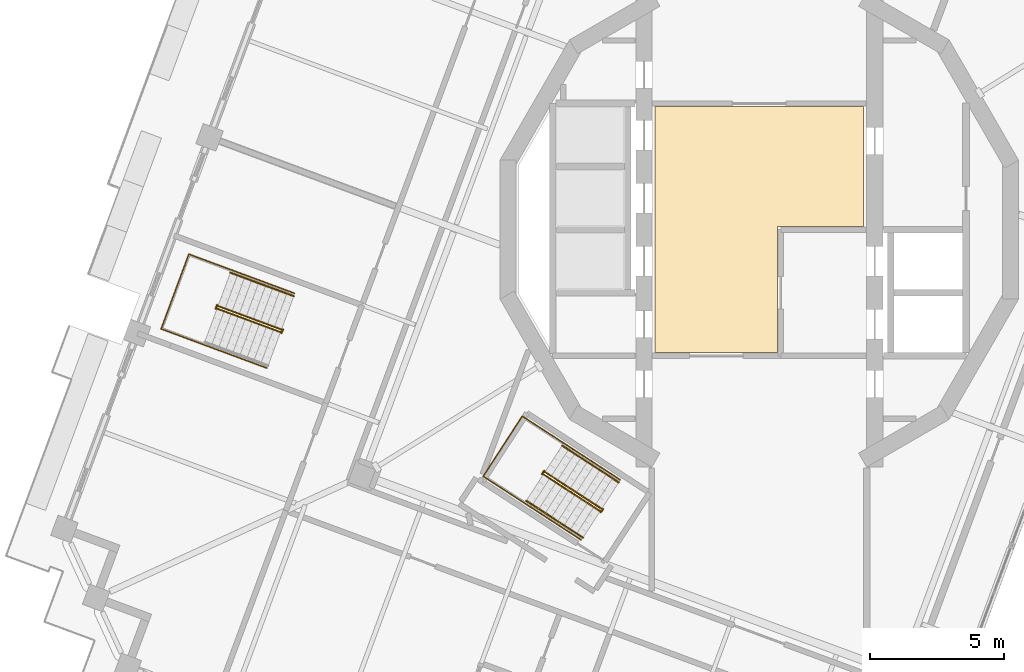
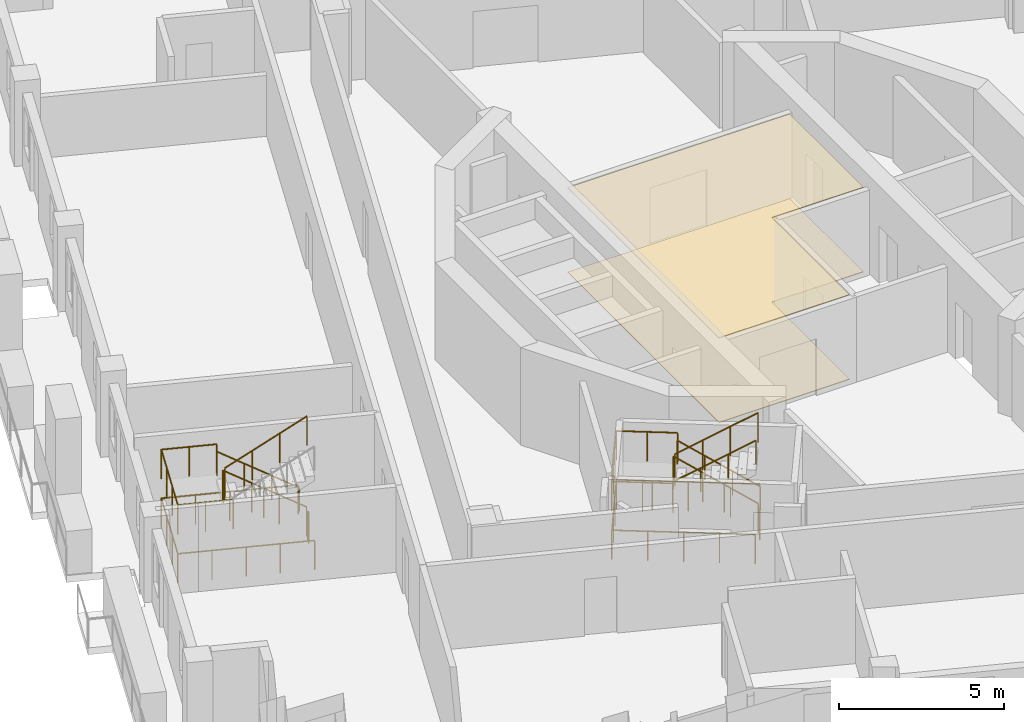
# One storey, part 13 of 19: 13 railings, 2 coverings.
"""IFC4 building model written with IfcOpenShell, lengths in metres."""

from ifc_helpers import new_model, si_unit, direction, frame, origin, origin_2d, place, context, subcontext, project, spatial, polyline, circle, outline, extrude, material, layer, layer_set, type_object, element, save


model = new_model("IFC4")

# Units and contexts
model_context = context("Model", 3, precision=1e-05, world=origin(), true_north=direction((0.0, 1.0)))
body_context = subcontext(model_context, "Body", "Model", "MODEL_VIEW")
ifc_project = project(units=[si_unit("LENGTHUNIT", "METRE"), si_unit("AREAUNIT", "SQUARE_METRE"), si_unit("VOLUMEUNIT", "CUBIC_METRE"), si_unit("PLANEANGLEUNIT", "RADIAN"), si_unit("MASSUNIT", "GRAM", prefix="KILO")], contexts=[model_context])

# Site, building, storey
site_placement = place(None, origin())
site = spatial("IfcSite", under=ifc_project, at=site_placement, CompositionType="ELEMENT")
building_placement = place(site_placement, origin())
building = spatial("IfcBuilding", under=site, at=building_placement, Name="Cantera Rosa Tower", CompositionType="ELEMENT")
storey_placement = place(building_placement, frame((0.0, 0.0, 342.10009765625)))
storey = spatial("IfcBuildingStorey", under=building, at=storey_placement, Name="L77", CompositionType="ELEMENT", Elevation=342.10009765625)

# Railings
ifc_material_1 = material(Name="Steel S355J2 (EN 10025-2)", Category="steel")
railing_type_1 = type_object("IfcRailingType", Name="STAIR GUARD 1100", PredefinedType="GUARDRAIL", material=ifc_material_1)
railing_1_placement = place(storey_placement, frame((-17.802490234375, -3.721923828125, 0.179931640625)))
element("IfcRailing", 1, at=railing_1_placement, inside=storey, type_object=railing_type_1, Name="L77 ST-63 stair guard 1", PredefinedType="GUARDRAIL", context=body_context, shape_type="SweptSolid", body=[
    extrude(circle(Radius=0.02392578125, at=origin_2d()), frame((0.0, 0.0, 1.076171875), z_axis=(-0.78878233546, 0.292319685639, 0.540713998944), x_axis=(-0.347500508527, -0.937679794265, 0.0)), (0.0, 0.0, 1.0), 2.995849609375),
    extrude(circle(Radius=0.02392578125, at=origin_2d()), frame((-2.363037109375, 0.875732421875, 2.69580078125), z_axis=(-0.671593765389, 0.740919573429, 0.0), x_axis=(-0.740919573429, -0.671593765389, 0.0)), (0.0, 0.0, 1.0), 0.056396484375),
    extrude(circle(Radius=0.02392578125, at=origin_2d()), frame((-2.40087890625, 0.91748046875, 2.69580078125), z_axis=(-0.348268249601, -0.937394914814, 0.0), x_axis=(0.937394914814, -0.348268249601, 0.0)), (0.0, 0.0, 1.0), 0.14990234375),
    extrude(circle(Radius=0.02099609375, at=origin_2d()), origin(), (0.0, 0.0, 1.0), 1.052001953125),
    extrude(circle(Radius=0.02099609375, at=origin_2d()), frame((-0.78759765625, 0.2919921875, 0.5400390625)), (0.0, 0.0, 1.0), 1.052001953125),
    extrude(circle(Radius=0.02099609375, at=origin_2d()), frame((-1.575439453125, 0.583740234375, 1.079833984375)), (0.0, 0.0, 1.0), 1.052001953125),
    extrude(circle(Radius=0.02099609375, at=origin_2d()), frame((-2.363037109375, 0.875732421875, 1.619873046875)), (0.0, 0.0, 1.0), 1.052001953125),
    extrude(circle(Radius=0.02099609375, at=origin_2d()), frame((-2.40087890625, 0.91748046875, 1.619873046875)), (0.0, 0.0, 1.0), 1.052001953125),
    extrude(circle(Radius=0.02099609375, at=origin_2d()), frame((-2.453125, 0.77685546875, 1.619873046875)), (0.0, 0.0, 1.0), 1.052001953125),
])
railing_2_placement = place(storey_placement, frame((-20.19970703125, -2.93798828125, 1.97998046875)))
element("IfcRailing", 2, at=railing_2_placement, inside=storey, type_object=railing_type_1, Name="L77 ST-63 stair guard 2", PredefinedType="GUARDRAIL", context=body_context, shape_type="SweptSolid", body=[
    extrude(circle(Radius=0.02392578125, at=origin_2d()), frame((0.0, 0.0, 1.076171875), z_axis=(0.78878233546, -0.292319685639, 0.540713998944), x_axis=(0.347500508527, 0.937679794265, 0.0)), (0.0, 0.0, 1.0), 2.995849609375),
    extrude(circle(Radius=0.02099609375, at=origin_2d()), origin(), (0.0, 0.0, 1.0), 1.052001953125),
    extrude(circle(Radius=0.02099609375, at=origin_2d()), frame((0.78759765625, -0.2919921875, 0.5400390625)), (0.0, 0.0, 1.0), 1.052001953125),
    extrude(circle(Radius=0.02099609375, at=origin_2d()), frame((1.575439453125, -0.583740234375, 1.079833984375)), (0.0, 0.0, 1.0), 1.052001953125),
    extrude(circle(Radius=0.02099609375, at=origin_2d()), frame((2.363037109375, -0.875732421875, 1.619873046875)), (0.0, 0.0, 1.0), 1.052001953125),
])
railing_3_placement = place(storey_placement, frame((-17.74658203125, -3.71484375, 0.0)))
element("IfcRailing", 3, at=railing_3_placement, inside=storey, type_object=railing_type_1, Name="L77 ST-63 stair guard 3", PredefinedType="GUARDRAIL", context=body_context, shape_type="SweptSolid", body=[
    extrude(circle(Radius=0.02392578125, at=origin_2d()), frame((0.0, 0.0, 1.076171875), z_axis=(-0.348268249601, -0.937394914814, 0.0), x_axis=(0.937394914814, -0.348268249601, 0.0)), (0.0, 0.0, 1.0), 0.14990234375),
    extrude(circle(Radius=0.02099609375, at=origin_2d()), origin(), (0.0, 0.0, 1.0), 1.052001953125),
    extrude(circle(Radius=0.02099609375, at=origin_2d()), frame((-0.05224609375, -0.140625, 0.0)), (0.0, 0.0, 1.0), 1.052001953125),
])
railing_4_placement = place(storey_placement, frame((-17.31494140625, -2.37109375, 0.0)))
element("IfcRailing", 4, at=railing_4_placement, inside=storey, type_object=railing_type_1, Name="L77 ST-63 stair guard 4", PredefinedType="GUARDRAIL", context=body_context, shape_type="SweptSolid", body=[
    extrude(circle(Radius=0.02392578125, at=origin_2d()), frame((0.0, 0.0, 1.076171875), z_axis=(-0.937682096729, 0.3474942956, 0.0), x_axis=(-0.3474942956, -0.937682096729, 0.0)), (0.0, 0.0, 1.0), 4.197998046875),
    extrude(circle(Radius=0.02392578125, at=origin_2d()), frame((-3.936279296875, 1.458740234375, 1.076171875), z_axis=(-0.347472311651, -0.937690243436, 0.0), x_axis=(0.937690243436, -0.347472311651, 0.0)), (0.0, 0.0, 1.0), 2.969970703125),
    extrude(circle(Radius=0.02392578125, at=origin_2d()), frame((-4.96826171875, -1.326171875, 1.076171875), z_axis=(0.937682096729, -0.3474942956, 0.0), x_axis=(0.3474942956, 0.937682096729, 0.0)), (0.0, 0.0, 1.0), 4.197998046875),
    extrude(circle(Radius=0.02099609375, at=origin_2d()), origin(), (0.0, 0.0, 1.0), 1.052001953125),
    extrude(circle(Radius=0.02099609375, at=origin_2d()), frame((-0.984130859375, 0.36474609375, 0.0)), (0.0, 0.0, 1.0), 1.052001953125),
    extrude(circle(Radius=0.02099609375, at=origin_2d()), frame((-1.96826171875, 0.7294921875, 0.0)), (0.0, 0.0, 1.0), 1.052001953125),
    extrude(circle(Radius=0.02099609375, at=origin_2d()), frame((-2.9521484375, 1.093994140625, 0.0)), (0.0, 0.0, 1.0), 1.052001953125),
    extrude(circle(Radius=0.02099609375, at=origin_2d()), frame((-3.936279296875, 1.458740234375, 0.0)), (0.0, 0.0, 1.0), 1.052001953125),
    extrude(circle(Radius=0.02099609375, at=origin_2d()), frame((-4.2802734375, 0.530517578125, 0.0)), (0.0, 0.0, 1.0), 1.052001953125),
    extrude(circle(Radius=0.02099609375, at=origin_2d()), frame((-4.624267578125, -0.39794921875, 0.0)), (0.0, 0.0, 1.0), 1.052001953125),
    extrude(circle(Radius=0.02099609375, at=origin_2d()), frame((-4.96826171875, -1.326171875, 0.0)), (0.0, 0.0, 1.0), 1.052001953125),
    extrude(circle(Radius=0.02099609375, at=origin_2d()), frame((-3.984130859375, -1.69091796875, 0.0)), (0.0, 0.0, 1.0), 1.052001953125),
    extrude(circle(Radius=0.02099609375, at=origin_2d()), frame((-3.0, -2.0556640625, 0.0)), (0.0, 0.0, 1.0), 1.052001953125),
    extrude(circle(Radius=0.02099609375, at=origin_2d()), frame((-2.01611328125, -2.420166015625, 0.0)), (0.0, 0.0, 1.0), 1.052001953125),
    extrude(circle(Radius=0.02099609375, at=origin_2d()), frame((-1.031982421875, -2.784912109375, 0.0)), (0.0, 0.0, 1.0), 1.052001953125),
])
railing_5_placement = place(storey_placement, frame((-19.6552734375, -1.50390625, 1.7998046875)))
element("IfcRailing", 5, at=railing_5_placement, inside=storey, type_object=railing_type_1, Name="L77 ST-63 stair guard 5", PredefinedType="GUARDRAIL", context=body_context, shape_type="SweptSolid", body=[
    extrude(circle(Radius=0.02392578125, at=origin_2d()), frame((0.0, 0.0, 1.076171875), z_axis=(-0.937660486946, 0.347552602091, 0.0), x_axis=(-0.347552602091, -0.937660486946, 0.0)), (0.0, 0.0, 1.0), 1.7021484375),
    extrude(circle(Radius=0.02392578125, at=origin_2d()), frame((-1.595947265625, 0.591552734375, 1.076171875), z_axis=(-0.347472311651, -0.937690243436, 0.0), x_axis=(0.937690243436, -0.347472311651, 0.0)), (0.0, 0.0, 1.0), 2.969970703125),
    extrude(circle(Radius=0.02392578125, at=origin_2d()), frame((-2.6279296875, -2.193359375, 1.076171875), z_axis=(0.937660486946, -0.347552602091, 0.0), x_axis=(0.347552602091, 0.937660486946, 0.0)), (0.0, 0.0, 1.0), 1.7021484375),
    extrude(circle(Radius=0.02099609375, at=origin_2d()), origin(), (0.0, 0.0, 1.0), 1.052001953125),
    extrude(circle(Radius=0.02099609375, at=origin_2d()), frame((-0.7978515625, 0.2958984375, 0.0)), (0.0, 0.0, 1.0), 1.052001953125),
    extrude(circle(Radius=0.02099609375, at=origin_2d()), frame((-1.595947265625, 0.591552734375, 0.0)), (0.0, 0.0, 1.0), 1.052001953125),
    extrude(circle(Radius=0.02099609375, at=origin_2d()), frame((-1.93994140625, -0.336669921875, 0.0)), (0.0, 0.0, 1.0), 1.052001953125),
    extrude(circle(Radius=0.02099609375, at=origin_2d()), frame((-2.283935546875, -1.26513671875, 0.0)), (0.0, 0.0, 1.0), 1.052001953125),
    extrude(circle(Radius=0.02099609375, at=origin_2d()), frame((-2.6279296875, -2.193359375, 0.0)), (0.0, 0.0, 1.0), 1.052001953125),
    extrude(circle(Radius=0.02099609375, at=origin_2d()), frame((-1.830078125, -2.4892578125, 0.0)), (0.0, 0.0, 1.0), 1.052001953125),
    extrude(circle(Radius=0.02099609375, at=origin_2d()), frame((-1.031982421875, -2.784912109375, 0.0)), (0.0, 0.0, 1.0), 1.052001953125),
])
railing_6_placement = place(storey_placement, frame((-5.873291015625, -10.403076171875, 0.179931640625)))
element("IfcRailing", 6, at=railing_6_placement, inside=storey, type_object=railing_type_1, Name="L77 ST-64 stair guard 1", PredefinedType="GUARDRAIL", context=body_context, shape_type="SweptSolid", body=[
    extrude(circle(Radius=0.02392578125, at=origin_2d()), frame((0.0, 0.0, 1.076171875), z_axis=(-0.705493103535, 0.458158972863, 0.540712341684), x_axis=(-0.544644381691, -0.838667095749, 0.0)), (0.0, 0.0, 1.0), 2.995849609375),
    extrude(circle(Radius=0.02392578125, at=origin_2d()), frame((-2.113525390625, 1.37255859375, 2.69580078125), z_axis=(-0.49520304401, 0.868777270193, 0.0), x_axis=(-0.868777270193, -0.49520304401, 0.0)), (0.0, 0.0, 1.0), 0.05615234375),
    extrude(circle(Radius=0.02392578125, at=origin_2d()), frame((-2.141357421875, 1.42138671875, 2.69580078125), z_axis=(-0.544129121324, -0.839001489467, 0.0), x_axis=(0.839001489467, -0.544129121324, 0.0)), (0.0, 0.0, 1.0), 0.14990234375),
    extrude(circle(Radius=0.02099609375, at=origin_2d()), origin(), (0.0, 0.0, 1.0), 1.052001953125),
    extrude(circle(Radius=0.02099609375, at=origin_2d()), frame((-0.70458984375, 0.45751953125, 0.5400390625)), (0.0, 0.0, 1.0), 1.052001953125),
    extrude(circle(Radius=0.02099609375, at=origin_2d()), frame((-1.408935546875, 0.9150390625, 1.079833984375)), (0.0, 0.0, 1.0), 1.052001953125),
    extrude(circle(Radius=0.02099609375, at=origin_2d()), frame((-2.113525390625, 1.37255859375, 1.619873046875)), (0.0, 0.0, 1.0), 1.052001953125),
    extrude(circle(Radius=0.02099609375, at=origin_2d()), frame((-2.141357421875, 1.42138671875, 1.619873046875)), (0.0, 0.0, 1.0), 1.052001953125),
    extrude(circle(Radius=0.02099609375, at=origin_2d()), frame((-2.222900390625, 1.295654296875, 1.619873046875)), (0.0, 0.0, 1.0), 1.052001953125),
])
railing_7_placement = place(storey_placement, frame((-8.040283203125, -9.11279296875, 1.97998046875)))
element("IfcRailing", 7, at=railing_7_placement, inside=storey, type_object=railing_type_1, Name="L77 ST-64 stair guard 2", PredefinedType="GUARDRAIL", context=body_context, shape_type="SweptSolid", body=[
    extrude(circle(Radius=0.02392578125, at=origin_2d()), frame((0.0, 0.0, 1.076171875), z_axis=(0.705493103535, -0.458158972863, 0.540712341684), x_axis=(0.544644381691, 0.838667095749, 0.0)), (0.0, 0.0, 1.0), 2.995849609375),
    extrude(circle(Radius=0.02099609375, at=origin_2d()), origin(), (0.0, 0.0, 1.0), 1.052001953125),
    extrude(circle(Radius=0.02099609375, at=origin_2d()), frame((0.70458984375, -0.45751953125, 0.5400390625)), (0.0, 0.0, 1.0), 1.052001953125),
    extrude(circle(Radius=0.02099609375, at=origin_2d()), frame((1.408935546875, -0.9150390625, 1.079833984375)), (0.0, 0.0, 1.0), 1.052001953125),
    extrude(circle(Radius=0.02099609375, at=origin_2d()), frame((2.113525390625, -1.37255859375, 1.619873046875)), (0.0, 0.0, 1.0), 1.052001953125),
])
railing_8_placement = place(storey_placement, frame((-5.8173828125, -10.408447265625, 0.0)))
element("IfcRailing", 8, at=railing_8_placement, inside=storey, type_object=railing_type_1, Name="L77 ST-64 stair guard 3", PredefinedType="GUARDRAIL", context=body_context, shape_type="SweptSolid", body=[
    extrude(circle(Radius=0.02392578125, at=origin_2d()), frame((0.0, 0.0, 1.076171875), z_axis=(-0.543386185195, -0.839482848984, 0.0), x_axis=(0.839482848984, -0.543386185195, 0.0)), (0.0, 0.0, 1.0), 0.150146484375),
    extrude(circle(Radius=0.02099609375, at=origin_2d()), origin(), (0.0, 0.0, 1.0), 1.052001953125),
    extrude(circle(Radius=0.02099609375, at=origin_2d()), frame((-0.08154296875, -0.1259765625, 0.0)), (0.0, 0.0, 1.0), 1.052001953125),
])
railing_9_placement = place(storey_placement, frame((-5.18310546875, -9.318115234375, 0.0)))
element("IfcRailing", 9, at=railing_9_placement, inside=storey, type_object=railing_type_1, Name="L77 ST-64 stair guard 4", PredefinedType="GUARDRAIL", context=body_context, shape_type="SweptSolid", body=[
    extrude(circle(Radius=0.02392578125, at=origin_2d()), frame((0.0, 0.0, 1.076171875), z_axis=(-0.838659072691, 0.544656735746, 0.0), x_axis=(-0.544656735746, -0.838659072691, 0.0)), (0.0, 0.0, 1.0), 4.347900390625),
    extrude(circle(Radius=0.02392578125, at=origin_2d()), frame((-3.646484375, 2.3681640625, 1.076171875), z_axis=(-0.544615466587, -0.838685872991, 0.0), x_axis=(0.838685872991, -0.544615466587, 0.0)), (0.0, 0.0, 1.0), 2.669921875),
    extrude(circle(Radius=0.02392578125, at=origin_2d()), frame((-5.1005859375, 0.12890625, 1.076171875), z_axis=(0.838659072691, -0.544656735746, 0.0), x_axis=(0.544656735746, 0.838659072691, 0.0)), (0.0, 0.0, 1.0), 4.347900390625),
    extrude(circle(Radius=0.02099609375, at=origin_2d()), origin(), (0.0, 0.0, 1.0), 1.052001953125),
    extrude(circle(Radius=0.02099609375, at=origin_2d()), frame((-0.91162109375, 0.592041015625, 0.0)), (0.0, 0.0, 1.0), 1.052001953125),
    extrude(circle(Radius=0.02099609375, at=origin_2d()), frame((-1.8232421875, 1.18408203125, 0.0)), (0.0, 0.0, 1.0), 1.052001953125),
    extrude(circle(Radius=0.02099609375, at=origin_2d()), frame((-2.73486328125, 1.776123046875, 0.0)), (0.0, 0.0, 1.0), 1.052001953125),
    extrude(circle(Radius=0.02099609375, at=origin_2d()), frame((-3.646484375, 2.3681640625, 0.0)), (0.0, 0.0, 1.0), 1.052001953125),
    extrude(circle(Radius=0.02099609375, at=origin_2d()), frame((-4.131103515625, 1.621826171875, 0.0)), (0.0, 0.0, 1.0), 1.052001953125),
    extrude(circle(Radius=0.02099609375, at=origin_2d()), frame((-4.615966796875, 0.875244140625, 0.0)), (0.0, 0.0, 1.0), 1.052001953125),
    extrude(circle(Radius=0.02099609375, at=origin_2d()), frame((-5.1005859375, 0.12890625, 0.0)), (0.0, 0.0, 1.0), 1.052001953125),
    extrude(circle(Radius=0.02099609375, at=origin_2d()), frame((-4.18896484375, -0.463134765625, 0.0)), (0.0, 0.0, 1.0), 1.052001953125),
    extrude(circle(Radius=0.02099609375, at=origin_2d()), frame((-3.27734375, -1.05517578125, 0.0)), (0.0, 0.0, 1.0), 1.052001953125),
    extrude(circle(Radius=0.02099609375, at=origin_2d()), frame((-2.36572265625, -1.647216796875, 0.0)), (0.0, 0.0, 1.0), 1.052001953125),
    extrude(circle(Radius=0.02099609375, at=origin_2d()), frame((-1.4541015625, -2.2392578125, 0.0)), (0.0, 0.0, 1.0), 1.052001953125),
])
railing_10_placement = place(storey_placement, frame((-7.2763671875, -7.95849609375, 1.7998046875)))
element("IfcRailing", 10, at=railing_10_placement, inside=storey, type_object=railing_type_1, Name="L77 ST-64 stair guard 5", PredefinedType="GUARDRAIL", context=body_context, shape_type="SweptSolid", body=[
    extrude(circle(Radius=0.02392578125, at=origin_2d()), frame((0.0, 0.0, 1.076171875), z_axis=(-0.838702547883, 0.544589787064, 0.0), x_axis=(-0.544589787064, -0.838702547883, 0.0)), (0.0, 0.0, 1.0), 1.85205078125),
    extrude(circle(Radius=0.02392578125, at=origin_2d()), frame((-1.55322265625, 1.008544921875, 1.076171875), z_axis=(-0.544615466587, -0.838685872991, 0.0), x_axis=(0.838685872991, -0.544615466587, 0.0)), (0.0, 0.0, 1.0), 2.669921875),
    extrude(circle(Radius=0.02392578125, at=origin_2d()), frame((-3.00732421875, -1.230712890625, 1.076171875), z_axis=(0.838702547883, -0.544589787064, 0.0), x_axis=(0.544589787064, 0.838702547883, 0.0)), (0.0, 0.0, 1.0), 1.85205078125),
    extrude(circle(Radius=0.02099609375, at=origin_2d()), origin(), (0.0, 0.0, 1.0), 1.052001953125),
    extrude(circle(Radius=0.02099609375, at=origin_2d()), frame((-0.776611328125, 0.50439453125, 0.0)), (0.0, 0.0, 1.0), 1.052001953125),
    extrude(circle(Radius=0.02099609375, at=origin_2d()), frame((-1.55322265625, 1.008544921875, 0.0)), (0.0, 0.0, 1.0), 1.052001953125),
    extrude(circle(Radius=0.02099609375, at=origin_2d()), frame((-2.037841796875, 0.26220703125, 0.0)), (0.0, 0.0, 1.0), 1.052001953125),
    extrude(circle(Radius=0.02099609375, at=origin_2d()), frame((-2.522705078125, -0.484375, 0.0)), (0.0, 0.0, 1.0), 1.052001953125),
    extrude(circle(Radius=0.02099609375, at=origin_2d()), frame((-3.00732421875, -1.230712890625, 0.0)), (0.0, 0.0, 1.0), 1.052001953125),
    extrude(circle(Radius=0.02099609375, at=origin_2d()), frame((-2.230712890625, -1.73486328125, 0.0)), (0.0, 0.0, 1.0), 1.052001953125),
    extrude(circle(Radius=0.02099609375, at=origin_2d()), frame((-1.4541015625, -2.2392578125, 0.0)), (0.0, 0.0, 1.0), 1.052001953125),
])
ifc_material_2 = material(Name="Steel S355J2 (EN 10025-2)", Category="steel")
railing_type_2 = type_object("IfcRailingType", Name="STAIR HANDRAIL 900", PredefinedType="HANDRAIL", material=ifc_material_2)
railing_11_placement = place(storey_placement, frame((-17.341796875, -2.478515625, 0.179931640625)))
element("IfcRailing", 11, at=railing_11_placement, inside=storey, type_object=railing_type_2, Name="L77 ST-63 stair handrail 1", PredefinedType="HANDRAIL", context=body_context, shape_type="SweptSolid", body=[
    extrude(circle(Radius=0.02392578125, at=origin_2d()), frame((0.0, 0.0, 0.8759765625), z_axis=(-0.78878233546, 0.292319685639, 0.540713998944), x_axis=(-0.347500508527, -0.937679794265, 0.0)), (0.0, 0.0, 1.0), 2.995849609375),
    extrude(circle(Radius=0.02099609375, at=origin_2d()), origin(), (0.0, 0.0, 1.0), 0.851806640625),
    extrude(circle(Radius=0.02099609375, at=origin_2d()), frame((-0.78759765625, 0.2919921875, 0.5400390625)), (0.0, 0.0, 1.0), 0.851806640625),
    extrude(circle(Radius=0.02099609375, at=origin_2d()), frame((-1.575439453125, 0.583740234375, 1.079833984375)), (0.0, 0.0, 1.0), 0.851806640625),
    extrude(circle(Radius=0.02099609375, at=origin_2d()), frame((-2.363037109375, 0.875732421875, 1.619873046875)), (0.0, 0.0, 1.0), 0.851806640625),
])
railing_12_placement = place(storey_placement, frame((-5.23291015625, -9.416748046875, 0.179931640625)))
element("IfcRailing", 12, at=railing_12_placement, inside=storey, type_object=railing_type_2, Name="L77 ST-64 stair handrail 1", PredefinedType="HANDRAIL", context=body_context, shape_type="SweptSolid", body=[
    extrude(circle(Radius=0.02392578125, at=origin_2d()), frame((0.0, 0.0, 0.8759765625), z_axis=(-0.705519443793, 0.458094581675, 0.540732529695), x_axis=(-0.544576236413, -0.838711346492, 0.0)), (0.0, 0.0, 1.0), 2.99560546875),
    extrude(circle(Radius=0.02099609375, at=origin_2d()), origin(), (0.0, 0.0, 1.0), 0.851806640625),
    extrude(circle(Radius=0.02099609375, at=origin_2d()), frame((-0.70458984375, 0.45751953125, 0.5400390625)), (0.0, 0.0, 1.0), 0.851806640625),
    extrude(circle(Radius=0.02099609375, at=origin_2d()), frame((-1.408935546875, 0.914794921875, 1.079833984375)), (0.0, 0.0, 1.0), 0.851806640625),
    extrude(circle(Radius=0.02099609375, at=origin_2d()), frame((-2.113525390625, 1.372314453125, 1.619873046875)), (0.0, 0.0, 1.0), 0.851806640625),
])
railing_13_placement = place(storey_placement, frame((-8.6806640625, -10.09912109375, 1.97998046875)))
element("IfcRailing", 13, at=railing_13_placement, inside=storey, type_object=railing_type_2, Name="L77 ST-64 stair handrail 2", PredefinedType="HANDRAIL", context=body_context, shape_type="SweptSolid", body=[
    extrude(circle(Radius=0.02392578125, at=origin_2d()), frame((0.0, 0.0, 0.8759765625), z_axis=(0.705493103535, -0.458158972863, 0.540712341684), x_axis=(0.544644381691, 0.838667095749, 0.0)), (0.0, 0.0, 1.0), 2.995849609375),
    extrude(circle(Radius=0.02099609375, at=origin_2d()), origin(), (0.0, 0.0, 1.0), 0.851806640625),
    extrude(circle(Radius=0.02099609375, at=origin_2d()), frame((0.70458984375, -0.45751953125, 0.5400390625)), (0.0, 0.0, 1.0), 0.851806640625),
    extrude(circle(Radius=0.02099609375, at=origin_2d()), frame((1.408935546875, -0.9150390625, 1.079833984375)), (0.0, 0.0, 1.0), 0.851806640625),
    extrude(circle(Radius=0.02099609375, at=origin_2d()), frame((2.113525390625, -1.37255859375, 1.619873046875)), (0.0, 0.0, 1.0), 0.851806640625),
])

# Coverings
ifc_material_3 = material(Name="Limestone paving", Category="masonry")
ifc_layer_1 = layer(ifc_material_3, 0.02490234375)
ifc_layer_set_1 = layer_set([ifc_layer_1], Name="STONE FLOOR FINISH 25")
covering_type_1 = type_object("IfcCoveringType", Name="STONE FLOOR FINISH 25", PredefinedType="FLOORING", material=ifc_layer_set_1)
covering_1_placement = place(storey_placement, origin())
element("IfcCovering", 14, at=covering_1_placement, inside=storey, type_object=covering_type_1, Name="STONE FLOOR FINISH L77", PredefinedType="FLOORING", context=body_context, shape_type="SweptSolid", body=[
    extrude(outline(polyline([(3.8798828125, 4.580078125), (3.8798828125, 0.1201171875), (0.679931640625, 0.1201171875), (0.679931640625, -4.580078125), (-3.8798828125, -4.580078125), (-3.8798828125, 4.580078125), (3.8798828125, 4.580078125)])), origin(), (0.0, 0.0, 1.0), 0.02490234375),
])
ifc_material_4 = material(Name="Gypsum ceiling tile")
ifc_layer_2 = layer(ifc_material_4, 0.030029296875)
ifc_layer_set_2 = layer_set([ifc_layer_2], Name="SUSPENDED CEILING 30")
covering_type_2 = type_object("IfcCoveringType", Name="SUSPENDED CEILING 30", PredefinedType="CEILING", material=ifc_layer_set_2)
covering_2_placement = place(storey_placement, frame((0.0, 0.0, 3.119873046875)))
element("IfcCovering", 15, at=covering_2_placement, inside=storey, type_object=covering_type_2, Name="SUSPENDED CEILING L77", PredefinedType="CEILING", context=body_context, shape_type="SweptSolid", body=[
    extrude(outline(polyline([(3.8798828125, 4.580078125), (3.8798828125, 0.1201171875), (0.679931640625, 0.1201171875), (0.679931640625, -4.580078125), (-3.8798828125, -4.580078125), (-3.8798828125, 4.580078125), (3.8798828125, 4.580078125)])), origin(), (0.0, 0.0, 1.0), 0.030029296875),
])

save(model, "model.ifc")
